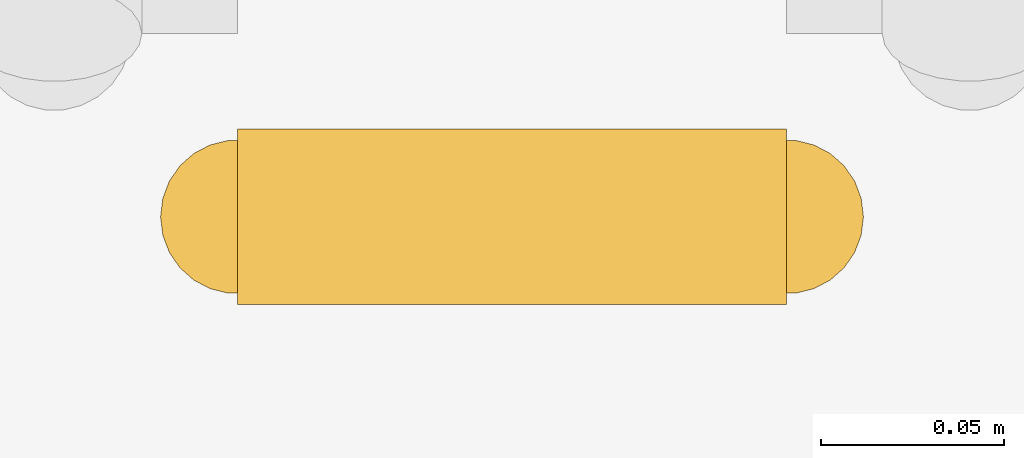
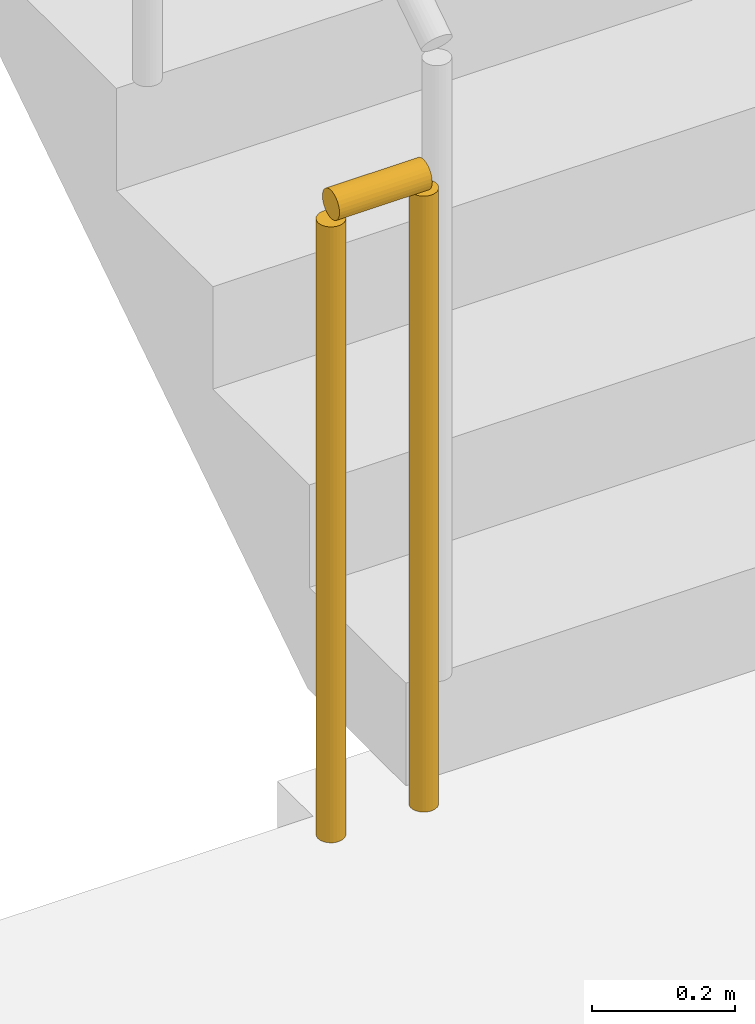
# One storey, part 16 of 19: 1 railing.
"""IFC4 building model written with IfcOpenShell, lengths in metres."""

import ifcopenshell
import ifcopenshell.guid

model = None  # the IFC model being written
_history = None  # IfcOwnerHistory: only IFC2X3 demands one
_inside = {}  # id of a spatial element -> (the spatial element, [elements in it])
_under = {}  # id of a project, library or spatial element -> (it, [spatial elements below it])
_declared = {}  # id of a project -> (the project, [libraries it declares])
_typed = {}  # id of a type object -> (the type object, [elements of that type])
_made_of = {}  # id of a material, layer set ... -> (it, [elements and type objects made of it])


def new_model(schema):
    """Start an empty IFC model of exactly this schema.

    Asked for "IFC4X3", IfcOpenShell would pick the latest addendum, in which some entities
    have other attributes; the version numbers below select the first issue.
    IFC2X3 requires an IfcOwnerHistory on every rooted entity: one is made here for all.
    """
    global model, _history
    if schema == "IFC4X3":
        model = ifcopenshell.file(schema_version=(4, 3, 0, 0))
    else:
        model = ifcopenshell.file(schema=schema)
    _inside.clear()
    _under.clear()
    _declared.clear()
    _typed.clear()
    _made_of.clear()
    _history = None
    if model.schema == "IFC2X3":
        org = make("IfcOrganization", Name="unknown")
        user = make(
            "IfcPersonAndOrganization",
            ThePerson=make("IfcPerson", FamilyName="unknown"),
            TheOrganization=org,
        )
        app = make(
            "IfcApplication",
            ApplicationDeveloper=org,
            Version="unknown",
            ApplicationFullName="unknown",
            ApplicationIdentifier="unknown",
        )
        _history = make(
            "IfcOwnerHistory",
            OwningUser=user,
            OwningApplication=app,
            ChangeAction="ADDED",
            CreationDate=0,
        )
    return model


def make(cls, **values):
    """One entity of the class cls with the attributes given. An attribute that is None is left unset."""
    return model.create_entity(
        cls, **{name: value for name, value in values.items() if value is not None}
    )


def rooted(cls, **values):
    """An entity with a GlobalId (a new one), such as an element, a storey or a relation."""
    return make(cls, GlobalId=ifcopenshell.guid.new(), OwnerHistory=_history, **values)


def si_unit(unit_type, name, prefix=None):
    """IfcSIUnit, for example si_unit("LENGTHUNIT", "METRE", prefix="MILLI")."""
    return make("IfcSIUnit", UnitType=unit_type, Prefix=prefix, Name=name)


def assignment(units):
    """IfcUnitAssignment: the units of a project."""
    return None if units is None else make("IfcUnitAssignment", Units=units)


def point(xyz):
    """IfcCartesianPoint."""
    return None if xyz is None else make("IfcCartesianPoint", Coordinates=xyz)


def direction(xyz):
    """IfcDirection."""
    return None if xyz is None else make("IfcDirection", DirectionRatios=xyz)


def frame(location, z_axis=None, x_axis=None):
    """IfcAxis2Placement3D, a coordinate frame: its origin and axes. An axis left out is left unset."""
    return make(
        "IfcAxis2Placement3D",
        Location=point(location),
        Axis=direction(z_axis),
        RefDirection=direction(x_axis),
    )


def frame_2d(location, x_axis=None):
    """IfcAxis2Placement2D, a coordinate frame in the plane: its origin and x axis."""
    return make(
        "IfcAxis2Placement2D", Location=point(location), RefDirection=direction(x_axis)
    )


def origin():
    """The frame at (0, 0, 0) with its axes left unset."""
    return frame((0.0, 0.0, 0.0))


def origin_2d():
    """The frame at (0, 0) in the plane with its x axis left unset."""
    return frame_2d((0.0, 0.0))


def place(relative_to, where):
    """IfcLocalPlacement: puts the frame where relative to a parent placement (None: the world)."""
    return make(
        "IfcLocalPlacement", PlacementRelTo=relative_to, RelativePlacement=where
    )


def context(
    kind, dimensions, precision=None, world=None, true_north=None, identifier=None
):
    """IfcGeometricRepresentationContext, for example the 3D "Model" context."""
    return make(
        "IfcGeometricRepresentationContext",
        ContextIdentifier=identifier,
        ContextType=kind,
        CoordinateSpaceDimension=dimensions,
        Precision=precision,
        WorldCoordinateSystem=world,
        TrueNorth=true_north,
    )


def subcontext(parent, identifier, kind, view, scale=None):
    """IfcGeometricRepresentationSubContext, for example "Body" below "Model"."""
    return make(
        "IfcGeometricRepresentationSubContext",
        ContextIdentifier=identifier,
        ContextType=kind,
        ParentContext=parent,
        TargetScale=scale,
        TargetView=view,
    )


def project(units=None, contexts=None):
    """IfcProject with its units and contexts."""
    return rooted(
        "IfcProject",
        Name="project",
        RepresentationContexts=contexts,
        UnitsInContext=assignment(units),
    )


def spatial(cls, under=None, at=None, **own):
    """A site, building, storey or space (cls), placed at a placement, below another one or the project."""
    s = rooted(cls, ObjectPlacement=at, **own)
    if under is not None:
        _under.setdefault(under.id(), (under, []))[1].append(s)
    return s


def profile(cls, at=None, kind="AREA", **sizes):
    """A parametric profile (cls). Its sizes go by their IFC names, for example OverallWidth=200.0."""
    return make(cls, ProfileType=kind, Position=at, **sizes)


def circle(**sizes):
    """IfcCircleProfileDef."""
    return profile("IfcCircleProfileDef", **sizes)


def extrude(swept, where, along, depth):
    """IfcExtrudedAreaSolid: the profile swept, set in the frame where, extruded along a direction by depth."""
    return make(
        "IfcExtrudedAreaSolid",
        SweptArea=swept,
        Position=where,
        ExtrudedDirection=direction(along),
        Depth=depth,
    )


def shape(context_of_items, identifier, shape_type, items):
    """IfcShapeRepresentation: the items that make up one representation, for example the "Body"."""
    return make(
        "IfcShapeRepresentation",
        ContextOfItems=context_of_items,
        RepresentationIdentifier=identifier,
        RepresentationType=shape_type,
        Items=items,
    )


def material(Name=None, Category=None):
    """IfcMaterial."""
    return make("IfcMaterial", Name=Name, Category=Category)


def made_of(thing, what):
    """Note that an element or type object is made of a material, layer set ...; save() writes the relation."""
    if what is not None:
        _made_of.setdefault(what.id(), (what, []))[1].append(thing)
    return thing


def type_object(cls, material=None, **own):
    """A type object (cls), such as IfcWallType, which elements share."""
    return made_of(rooted(cls, **own), material)


def element(
    cls,
    number,
    at=None,
    inside=None,
    cuts=None,
    type_object=None,
    material=None,
    context=None,
    identifier="Body",
    shape_type=None,
    held_by="IfcProductDefinitionShape",
    body=None,
    shapes=None,
    **own,
):
    """One element of the class cls, such as IfcWall. Its Tag is "e" and its number.

    at: its placement. inside: the storey or other place that contains it. cuts: it is an
    opening in that element (IfcRelVoidsElement). A single representation is given by context,
    identifier, shape_type and body (its items); several are given by shapes. held_by: the class
    of the entity that holds the representations. save() writes the other relations.
    """
    e = rooted(cls, Tag="e%d" % number, ObjectPlacement=at, **own)
    if body is not None:
        shapes = [shape(context, identifier, shape_type, body)]
    if shapes is not None:
        e.Representation = make(held_by, Representations=shapes)
    if inside is not None:
        _inside.setdefault(inside.id(), (inside, []))[1].append(e)
    if cuts is not None:
        rooted(
            "IfcRelVoidsElement", RelatingBuildingElement=cuts, RelatedOpeningElement=e
        )
    if type_object is not None:
        _typed.setdefault(type_object.id(), (type_object, []))[1].append(e)
    return made_of(e, material)


def aggregate(whole, parts):
    """IfcRelAggregates: a whole, such as a stair, and the parts it consists of."""
    return rooted("IfcRelAggregates", RelatingObject=whole, RelatedObjects=parts)


def save(model, path):
    """Write the relations noted so far, then the file.

    IfcRelAggregates (storeys below a building ...), IfcRelContainedInSpatialStructure (elements
    in a storey), IfcRelDefinesByType, IfcRelAssociatesMaterial and IfcRelDeclares: one each for
    every whole, place, type object, material and project.
    """
    for whole, parts in _under.values():
        aggregate(whole, parts)
    for where, things in _inside.values():
        rooted(
            "IfcRelContainedInSpatialStructure",
            RelatedElements=things,
            RelatingStructure=where,
        )
    for kind, things in _typed.values():
        rooted("IfcRelDefinesByType", RelatedObjects=things, RelatingType=kind)
    for what, things in _made_of.values():
        rooted("IfcRelAssociatesMaterial", RelatedObjects=things, RelatingMaterial=what)
    for by, libraries in _declared.values():
        rooted("IfcRelDeclares", RelatingContext=by, RelatedDefinitions=libraries)
    model.write(path)


model = new_model("IFC4")

# Units and contexts
model_context = context("Model", 3, precision=1e-05, world=origin(), true_north=direction((0.0, 1.0)))
body_context = subcontext(model_context, "Body", "Model", "MODEL_VIEW")
ifc_project = project(units=[si_unit("LENGTHUNIT", "METRE"), si_unit("AREAUNIT", "SQUARE_METRE"), si_unit("VOLUMEUNIT", "CUBIC_METRE"), si_unit("PLANEANGLEUNIT", "RADIAN"), si_unit("MASSUNIT", "GRAM", prefix="KILO")], contexts=[model_context])

# Site, building, storey
site_placement = place(None, origin())
site = spatial("IfcSite", under=ifc_project, at=site_placement, CompositionType="ELEMENT")
building_placement = place(site_placement, origin())
building = spatial("IfcBuilding", under=site, at=building_placement, Name="Saffron Iwan Residences", CompositionType="ELEMENT")
storey_placement = place(building_placement, frame((0.0, 0.0, 120.0)))
storey = spatial("IfcBuildingStorey", under=building, at=storey_placement, Name="L31", CompositionType="ELEMENT", Elevation=120.0)

# Railing
ifc_material = material(Name="Steel S355", Category="steel")
railing_type = type_object("IfcRailingType", Name="Stair guard 1100", PredefinedType="GUARDRAIL", material=ifc_material)
railing_placement = place(storey_placement, frame((69.699951171875, 67.800048828125, 0.0)))
element("IfcRailing", 1, at=railing_placement, inside=storey, type_object=railing_type, Name="L31 ST-E stair guard 2", PredefinedType="GUARDRAIL", context=body_context, shape_type="SweptSolid", body=[
    extrude(circle(Radius=0.02392578125, at=origin_2d()), frame((0.0, 0.0, 1.076171875), z_axis=(-1.0, 0.0, 0.0), x_axis=(0.0, -1.0, 0.0)), (0.0, 0.0, 1.0), 0.14990234375),
    extrude(circle(Radius=0.02099609375, at=origin_2d()), origin(), (0.0, 0.0, 1.0), 1.052001953125),
    extrude(circle(Radius=0.02099609375, at=origin_2d()), frame((-0.14990234375, 0.0, 0.0)), (0.0, 0.0, 1.0), 1.052001953125),
])

save(model, "model.ifc")
